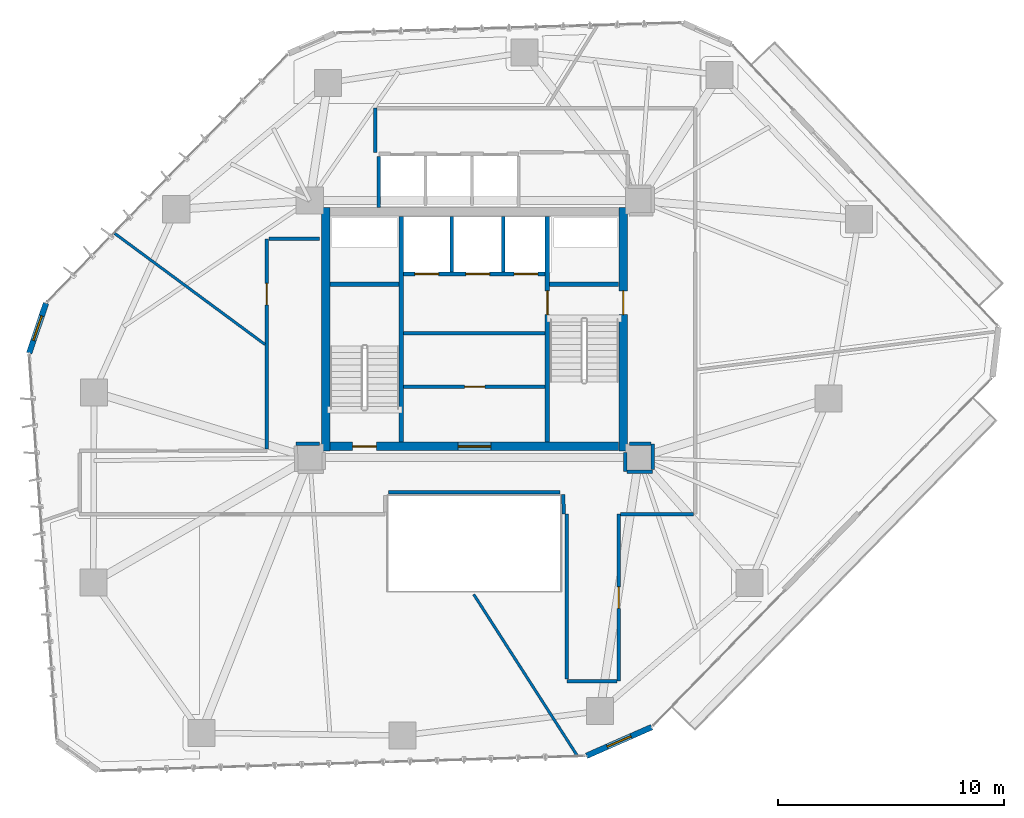
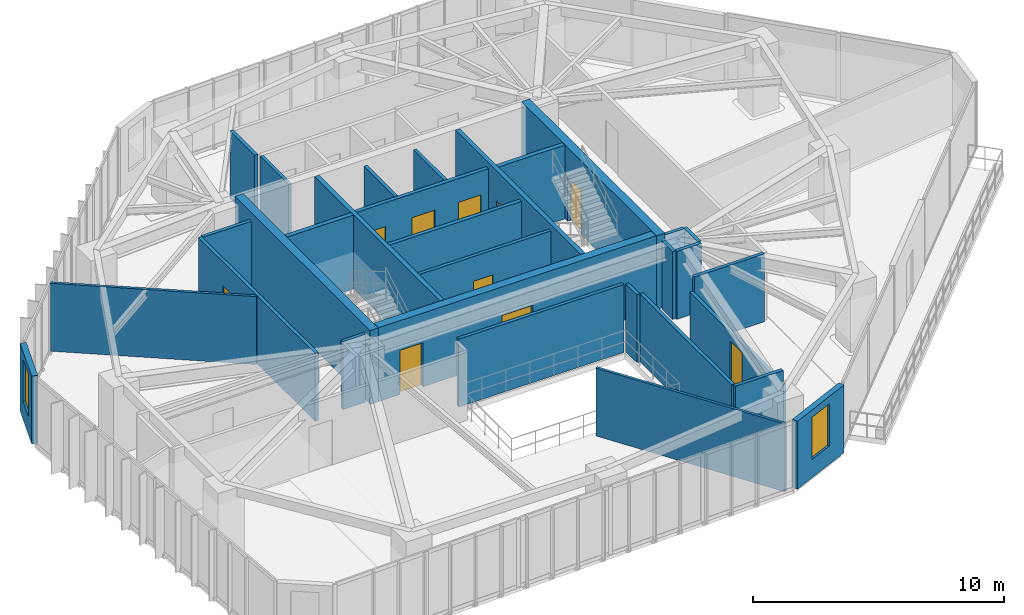
# One storey, part 18 of 23: 31 walls, 10 doors, 2 windows, 12 openings.
"""IFC4 building model written with IfcOpenShell, lengths in metres."""

import ifcopenshell
import ifcopenshell.guid

model = None  # the IFC model being written
_history = None  # IfcOwnerHistory: only IFC2X3 demands one
_inside = {}  # id of a spatial element -> (the spatial element, [elements in it])
_under = {}  # id of a project, library or spatial element -> (it, [spatial elements below it])
_declared = {}  # id of a project -> (the project, [libraries it declares])
_typed = {}  # id of a type object -> (the type object, [elements of that type])
_made_of = {}  # id of a material, layer set ... -> (it, [elements and type objects made of it])


def new_model(schema):
    """Start an empty IFC model of exactly this schema.

    Asked for "IFC4X3", IfcOpenShell would pick the latest addendum, in which some entities
    have other attributes; the version numbers below select the first issue.
    IFC2X3 requires an IfcOwnerHistory on every rooted entity: one is made here for all.
    """
    global model, _history
    if schema == "IFC4X3":
        model = ifcopenshell.file(schema_version=(4, 3, 0, 0))
    else:
        model = ifcopenshell.file(schema=schema)
    _inside.clear()
    _under.clear()
    _declared.clear()
    _typed.clear()
    _made_of.clear()
    _history = None
    if model.schema == "IFC2X3":
        org = make("IfcOrganization", Name="unknown")
        user = make(
            "IfcPersonAndOrganization",
            ThePerson=make("IfcPerson", FamilyName="unknown"),
            TheOrganization=org,
        )
        app = make(
            "IfcApplication",
            ApplicationDeveloper=org,
            Version="unknown",
            ApplicationFullName="unknown",
            ApplicationIdentifier="unknown",
        )
        _history = make(
            "IfcOwnerHistory",
            OwningUser=user,
            OwningApplication=app,
            ChangeAction="ADDED",
            CreationDate=0,
        )
    return model


def make(cls, **values):
    """One entity of the class cls with the attributes given. An attribute that is None is left unset."""
    return model.create_entity(
        cls, **{name: value for name, value in values.items() if value is not None}
    )


def rooted(cls, **values):
    """An entity with a GlobalId (a new one), such as an element, a storey or a relation."""
    return make(cls, GlobalId=ifcopenshell.guid.new(), OwnerHistory=_history, **values)


def si_unit(unit_type, name, prefix=None):
    """IfcSIUnit, for example si_unit("LENGTHUNIT", "METRE", prefix="MILLI")."""
    return make("IfcSIUnit", UnitType=unit_type, Prefix=prefix, Name=name)


def assignment(units):
    """IfcUnitAssignment: the units of a project."""
    return None if units is None else make("IfcUnitAssignment", Units=units)


def point(xyz):
    """IfcCartesianPoint."""
    return None if xyz is None else make("IfcCartesianPoint", Coordinates=xyz)


def direction(xyz):
    """IfcDirection."""
    return None if xyz is None else make("IfcDirection", DirectionRatios=xyz)


def frame(location, z_axis=None, x_axis=None):
    """IfcAxis2Placement3D, a coordinate frame: its origin and axes. An axis left out is left unset."""
    return make(
        "IfcAxis2Placement3D",
        Location=point(location),
        Axis=direction(z_axis),
        RefDirection=direction(x_axis),
    )


def frame_2d(location, x_axis=None):
    """IfcAxis2Placement2D, a coordinate frame in the plane: its origin and x axis."""
    return make(
        "IfcAxis2Placement2D", Location=point(location), RefDirection=direction(x_axis)
    )


def origin():
    """The frame at (0, 0, 0) with its axes left unset."""
    return frame((0.0, 0.0, 0.0))


def place(relative_to, where):
    """IfcLocalPlacement: puts the frame where relative to a parent placement (None: the world)."""
    return make(
        "IfcLocalPlacement", PlacementRelTo=relative_to, RelativePlacement=where
    )


def context(
    kind, dimensions, precision=None, world=None, true_north=None, identifier=None
):
    """IfcGeometricRepresentationContext, for example the 3D "Model" context."""
    return make(
        "IfcGeometricRepresentationContext",
        ContextIdentifier=identifier,
        ContextType=kind,
        CoordinateSpaceDimension=dimensions,
        Precision=precision,
        WorldCoordinateSystem=world,
        TrueNorth=true_north,
    )


def subcontext(parent, identifier, kind, view, scale=None):
    """IfcGeometricRepresentationSubContext, for example "Body" below "Model"."""
    return make(
        "IfcGeometricRepresentationSubContext",
        ContextIdentifier=identifier,
        ContextType=kind,
        ParentContext=parent,
        TargetScale=scale,
        TargetView=view,
    )


def project(units=None, contexts=None):
    """IfcProject with its units and contexts."""
    return rooted(
        "IfcProject",
        Name="project",
        RepresentationContexts=contexts,
        UnitsInContext=assignment(units),
    )


def spatial(cls, under=None, at=None, **own):
    """A site, building, storey or space (cls), placed at a placement, below another one or the project."""
    s = rooted(cls, ObjectPlacement=at, **own)
    if under is not None:
        _under.setdefault(under.id(), (under, []))[1].append(s)
    return s


def profile(cls, at=None, kind="AREA", **sizes):
    """A parametric profile (cls). Its sizes go by their IFC names, for example OverallWidth=200.0."""
    return make(cls, ProfileType=kind, Position=at, **sizes)


def rectangle(**sizes):
    """IfcRectangleProfileDef."""
    return profile("IfcRectangleProfileDef", **sizes)


def extrude(swept, where, along, depth):
    """IfcExtrudedAreaSolid: the profile swept, set in the frame where, extruded along a direction by depth."""
    return make(
        "IfcExtrudedAreaSolid",
        SweptArea=swept,
        Position=where,
        ExtrudedDirection=direction(along),
        Depth=depth,
    )


def shape(context_of_items, identifier, shape_type, items):
    """IfcShapeRepresentation: the items that make up one representation, for example the "Body"."""
    return make(
        "IfcShapeRepresentation",
        ContextOfItems=context_of_items,
        RepresentationIdentifier=identifier,
        RepresentationType=shape_type,
        Items=items,
    )


def source(mapping_origin, context_of_items, identifier, shape_type, items):
    """IfcRepresentationMap: a shape defined once, which mapped items show again and again."""
    return make(
        "IfcRepresentationMap",
        MappingOrigin=mapping_origin,
        MappedRepresentation=shape(context_of_items, identifier, shape_type, items),
    )


def transform(
    local_origin,
    x_axis=None,
    y_axis=None,
    z_axis=None,
    scale=None,
    scale2=None,
    scale3=None,
    uniform=True,
):
    """IfcCartesianTransformationOperator3D, or its non-uniform kind. x_axis, y_axis, z_axis: its Axis1, 2, 3."""
    if uniform:
        return make(
            "IfcCartesianTransformationOperator3D",
            Axis1=direction(x_axis),
            Axis2=direction(y_axis),
            LocalOrigin=point(local_origin),
            Scale=scale,
            Axis3=direction(z_axis),
        )
    return make(
        "IfcCartesianTransformationOperator3DnonUniform",
        Axis1=direction(x_axis),
        Axis2=direction(y_axis),
        LocalOrigin=point(local_origin),
        Scale=scale,
        Axis3=direction(z_axis),
        Scale2=scale2,
        Scale3=scale3,
    )


def mapped(mapping_source, mapping_target):
    """IfcMappedItem: shows the shape of a source again, moved by a transform."""
    return make(
        "IfcMappedItem", MappingSource=mapping_source, MappingTarget=mapping_target
    )


def material(Name=None, Category=None):
    """IfcMaterial."""
    return make("IfcMaterial", Name=Name, Category=Category)


def layer(
    of_material, thickness, ventilated=None, Name=None, Category=None, Priority=None
):
    """IfcMaterialLayer: one layer of a wall or slab, of a material (None: an air gap)."""
    return make(
        "IfcMaterialLayer",
        Material=of_material,
        LayerThickness=thickness,
        IsVentilated=ventilated,
        Name=Name,
        Category=Category,
        Priority=Priority,
    )


def layer_set(layers, Name=None):
    """IfcMaterialLayerSet."""
    return make("IfcMaterialLayerSet", MaterialLayers=layers, LayerSetName=Name)


def made_of(thing, what):
    """Note that an element or type object is made of a material, layer set ...; save() writes the relation."""
    if what is not None:
        _made_of.setdefault(what.id(), (what, []))[1].append(thing)
    return thing


def type_object(cls, material=None, **own):
    """A type object (cls), such as IfcWallType, which elements share."""
    return made_of(rooted(cls, **own), material)


def type_shapes(of_type, sources):
    """Give a type object the sources (RepresentationMaps) that its elements show as mapped items."""
    of_type.RepresentationMaps = sources


def element(
    cls,
    number,
    at=None,
    inside=None,
    cuts=None,
    type_object=None,
    material=None,
    context=None,
    identifier="Body",
    shape_type=None,
    held_by="IfcProductDefinitionShape",
    body=None,
    shapes=None,
    **own,
):
    """One element of the class cls, such as IfcWall. Its Tag is "e" and its number.

    at: its placement. inside: the storey or other place that contains it. cuts: it is an
    opening in that element (IfcRelVoidsElement). A single representation is given by context,
    identifier, shape_type and body (its items); several are given by shapes. held_by: the class
    of the entity that holds the representations. save() writes the other relations.
    """
    e = rooted(cls, Tag="e%d" % number, ObjectPlacement=at, **own)
    if body is not None:
        shapes = [shape(context, identifier, shape_type, body)]
    if shapes is not None:
        e.Representation = make(held_by, Representations=shapes)
    if inside is not None:
        _inside.setdefault(inside.id(), (inside, []))[1].append(e)
    if cuts is not None:
        rooted(
            "IfcRelVoidsElement", RelatingBuildingElement=cuts, RelatedOpeningElement=e
        )
    if type_object is not None:
        _typed.setdefault(type_object.id(), (type_object, []))[1].append(e)
    return made_of(e, material)


def fill(opening, filler):
    """IfcRelFillsElement: the door or window that sits in an opening."""
    return rooted(
        "IfcRelFillsElement",
        RelatingOpeningElement=opening,
        RelatedBuildingElement=filler,
    )


def aggregate(whole, parts):
    """IfcRelAggregates: a whole, such as a stair, and the parts it consists of."""
    return rooted("IfcRelAggregates", RelatingObject=whole, RelatedObjects=parts)


def save(model, path):
    """Write the relations noted so far, then the file.

    IfcRelAggregates (storeys below a building ...), IfcRelContainedInSpatialStructure (elements
    in a storey), IfcRelDefinesByType, IfcRelAssociatesMaterial and IfcRelDeclares: one each for
    every whole, place, type object, material and project.
    """
    for whole, parts in _under.values():
        aggregate(whole, parts)
    for where, things in _inside.values():
        rooted(
            "IfcRelContainedInSpatialStructure",
            RelatedElements=things,
            RelatingStructure=where,
        )
    for kind, things in _typed.values():
        rooted("IfcRelDefinesByType", RelatedObjects=things, RelatingType=kind)
    for what, things in _made_of.values():
        rooted("IfcRelAssociatesMaterial", RelatedObjects=things, RelatingMaterial=what)
    for by, libraries in _declared.values():
        rooted("IfcRelDeclares", RelatingContext=by, RelatedDefinitions=libraries)
    model.write(path)


model = new_model("IFC4")

# Units and contexts
model_context = context("Model", 3, precision=1e-05, world=origin(), true_north=direction((0.0, 1.0)))
body_context = subcontext(model_context, "Body", "Model", "MODEL_VIEW")
ifc_project = project(units=[si_unit("LENGTHUNIT", "METRE"), si_unit("AREAUNIT", "SQUARE_METRE"), si_unit("VOLUMEUNIT", "CUBIC_METRE"), si_unit("PLANEANGLEUNIT", "RADIAN"), si_unit("MASSUNIT", "GRAM", prefix="KILO")], contexts=[model_context])

# Site, building, storey
site_placement = place(None, origin())
site = spatial("IfcSite", under=ifc_project, at=site_placement, CompositionType="ELEMENT")
building_placement = place(site_placement, origin())
building = spatial("IfcBuilding", under=site, at=building_placement, Name="Talar Marvaseh", CompositionType="ELEMENT")
storey_placement = place(building_placement, frame((0.0, 0.0, 96.60009765625)))
storey = spatial("IfcBuildingStorey", under=building, at=storey_placement, Name="L24", CompositionType="ELEMENT", Elevation=96.60009765625)

# Wall, opening, window
ifc_material_1 = material(Name="Precast concrete C45/55", Category="concrete")
ifc_layer_1 = layer(ifc_material_1, 0.2548828125)
ifc_layer_set_1 = layer_set([ifc_layer_1], Name="Precast concrete C45/55")
wall_type_1 = type_object("IfcWallType", Name="Chamfered Hexagonal Corner Pier Wall Z2 255", PredefinedType="SOLIDWALL", material=ifc_layer_set_1)
wall_1_placement = place(storey_placement, frame((6.25830078125, 30.138916015625, 0.0), z_axis=(0.0, 0.0, 1.0), x_axis=(0.319292826972, 0.947656103576, 0.0)))
wall_1 = element("IfcWall", 1, at=wall_1_placement, inside=storey, type_object=wall_type_1, Name="L24 Chamfered Corner Limestone Pier 2", PredefinedType="SOLIDWALL", context=body_context, shape_type="SweptSolid", body=[
    extrude(rectangle(XDim=2.340576171875, YDim=0.2548828125, at=frame_2d((1.17041015625, 0.0))), origin(), (0.0, 0.0, 1.0), 3.309814453125),
])
opening_1_placement = place(wall_1_placement, frame((0.594970703125, 0.0, 0.89990234375)))
opening_1 = element("IfcOpeningElement", 2, at=opening_1_placement, cuts=wall_1, Name="Opening WN-CHM11", PredefinedType="OPENING", context=body_context, shape_type="SweptSolid", body=[
    extrude(rectangle(XDim=1.14990234375, YDim=2.050048828125, at=frame_2d((0.574951171875, 1.02490234375))), frame((0.0, 0.137451171875, 0.0), z_axis=(0.0, -1.0, 0.0), x_axis=(1.0, 0.0, 0.0)), (0.0, 0.0, 1.0), 0.27490234375),
])
ifc_material_2 = material(Name="Laminated Low-E Solar Glass", Category="glass")
window_type = type_object("IfcWindowType", Name="Zone 2 Chamfered Corner Slot Window 1150x2050", PartitioningType="SINGLE_PANEL", PredefinedType="WINDOW", material=ifc_material_2)
shared_shape_1 = source(origin(), body_context, "Body", "SweptSolid", [
    extrude(rectangle(XDim=1.14990234375, YDim=2.050048828125, at=frame_2d((0.574951171875, 1.02490234375))), frame((0.0, 0.030029296875, 0.0), z_axis=(0.0, -1.0, 0.0), x_axis=(1.0, 0.0, 0.0)), (0.0, 0.0, 1.0), 0.06005859375),
])
type_shapes(window_type, [shared_shape_1])
window_1_placement = place(opening_1_placement, origin())
window_1 = element("IfcWindow", 3, at=window_1_placement, inside=storey, type_object=window_type, Name="L24 Chamfered Corner Slot Window", OverallHeight=2.050048828125, OverallWidth=1.14990234375, PartitioningType="SINGLE_PANEL", PredefinedType="WINDOW", context=body_context, shape_type="MappedRepresentation", body=[
    mapped(shared_shape_1, transform((0.0, 0.0, 0.0), x_axis=(1.0, 0.0, 0.0), y_axis=(0.0, 1.0, 0.0), z_axis=(0.0, 0.0, 1.0), scale=1.0)),
])
fill(opening_1, window_1)

wall_2_placement = place(storey_placement, frame((33.860107421875, 13.553955078125, 0.0), z_axis=(0.0, 0.0, 1.0), x_axis=(-0.915320736763, -0.402725649607, 0.0)))
wall_2 = element("IfcWall", 4, at=wall_2_placement, inside=storey, type_object=wall_type_1, Name="L24 Chamfered Corner Limestone Pier 6", PredefinedType="SOLIDWALL", context=body_context, shape_type="SweptSolid", body=[
    extrude(rectangle(XDim=3.1552734375, YDim=0.2548828125, at=frame_2d((1.57763671875, 0.0))), origin(), (0.0, 0.0, 1.0), 3.309814453125),
])
opening_2_placement = place(wall_2_placement, frame((1.0029296875, 0.0, 0.89990234375)))
opening_2 = element("IfcOpeningElement", 5, at=opening_2_placement, cuts=wall_2, Name="Opening WN-CHM11", PredefinedType="OPENING", context=body_context, shape_type="SweptSolid", body=[
    extrude(rectangle(XDim=1.14990234375, YDim=2.050048828125, at=frame_2d((0.574951171875, 1.02490234375))), frame((0.0, 0.137451171875, 0.0), z_axis=(0.0, -1.0, 0.0), x_axis=(1.0, 0.0, 0.0)), (0.0, 0.0, 1.0), 0.27490234375),
])
window_2_placement = place(opening_2_placement, origin())
window_2 = element("IfcWindow", 6, at=window_2_placement, inside=storey, type_object=window_type, Name="L24 Chamfered Corner Slot Window", OverallHeight=2.050048828125, OverallWidth=1.14990234375, PartitioningType="SINGLE_PANEL", PredefinedType="WINDOW", context=body_context, shape_type="MappedRepresentation", body=[
    mapped(shared_shape_1, transform((0.0, 0.0, 0.0), x_axis=(1.0, 0.0, 0.0), y_axis=(0.0, 1.0, 0.0), z_axis=(0.0, 0.0, 1.0), scale=1.0)),
])
fill(opening_2, window_2)

# Wall, opening, door
ifc_material_3 = material(Name="Gypsum Board Partition Assembly")
ifc_layer_2 = layer(ifc_material_3, 0.155029296875)
ifc_layer_set_2 = layer_set([ifc_layer_2], Name="Gypsum Board Partition Assembly")
wall_type_2 = type_object("IfcWallType", Name="Corridor Fire-Rated Acoustic Partition 155", PredefinedType="PARTITIONING", material=ifc_layer_set_2)
wall_3_placement = place(storey_placement, frame((22.865966796875, 28.639892578125, 0.0), z_axis=(0.0, 0.0, 1.0), x_axis=(1.0, 0.0, 0.0)))
wall_3 = element("IfcWall", 7, at=wall_3_placement, inside=storey, type_object=wall_type_2, Name="L24 Core BOH Partition", PredefinedType="PARTITIONING", context=body_context, shape_type="SweptSolid", body=[
    extrude(rectangle(XDim=6.26806640625, YDim=0.155029296875, at=frame_2d((3.134033203125, 0.0))), origin(), (0.0, 0.0, 1.0), 3.309814453125),
])
opening_3_placement = place(wall_3_placement, frame((2.699951171875, 0.0, 0.0)))
opening_3 = element("IfcOpeningElement", 8, at=opening_3_placement, cuts=wall_3, Name="Opening DR-BOH090", PredefinedType="OPENING", context=body_context, shape_type="SweptSolid", body=[
    extrude(rectangle(XDim=0.89990234375, YDim=2.10009765625, at=frame_2d((0.449951171875, 1.050048828125))), frame((0.0, 0.08740234375, 0.0), z_axis=(0.0, -1.0, 0.0), x_axis=(1.0, 0.0, 0.0)), (0.0, 0.0, 1.0), 0.175048828125),
])
ifc_material_4 = material(Name="Fire-Rated Steel Door Leaf", Category="steel")
door_type_1 = type_object("IfcDoorType", Name="Core Back-of-House Service Door 900x2100", OperationType="NOTDEFINED", PredefinedType="DOOR", material=ifc_material_4)
shared_shape_2 = source(origin(), body_context, "Body", "SweptSolid", [
    extrude(rectangle(XDim=0.89990234375, YDim=2.10009765625, at=frame_2d((0.449951171875, 1.050048828125))), frame((0.0, 0.02490234375, 0.0), z_axis=(0.0, -1.0, 0.0), x_axis=(1.0, 0.0, 0.0)), (0.0, 0.0, 1.0), 0.050048828125),
])
type_shapes(door_type_1, [shared_shape_2])
door_1_placement = place(opening_3_placement, origin())
door_1 = element("IfcDoor", 9, at=door_1_placement, inside=storey, type_object=door_type_1, Name="L24 Store Core Central Archive Door", OperationType="SINGLE_SWING_LEFT", OverallHeight=2.10009765625, OverallWidth=0.89990234375, PredefinedType="DOOR", context=body_context, shape_type="MappedRepresentation", body=[
    mapped(shared_shape_2, transform((0.0, 0.0, 0.0), x_axis=(1.0, 0.0, 0.0), y_axis=(0.0, 1.0, 0.0), z_axis=(0.0, 0.0, 1.0), scale=1.0)),
])
fill(opening_3, door_1)

wall_4_placement = place(storey_placement, frame((16.800048828125, 25.883544921875, 0.0), z_axis=(0.0, 0.0, 1.0), x_axis=(0.0, 1.0, 0.0)))
wall_4 = element("IfcWall", 10, at=wall_4_placement, inside=storey, type_object=wall_type_2, Name="L24 Interior Partition Wall", PredefinedType="PARTITIONING", context=body_context, shape_type="SweptSolid", body=[
    extrude(rectangle(XDim=9.31640625, YDim=0.155029296875, at=frame_2d((4.658203125, 0.0))), origin(), (0.0, 0.0, 1.0), 3.309814453125),
])
opening_4_placement = place(wall_4_placement, frame((6.39990234375, 0.0, 0.0)))
opening_4 = element("IfcOpeningElement", 11, at=opening_4_placement, cuts=wall_4, Name="Opening DR-WC095", PredefinedType="OPENING", context=body_context, shape_type="SweptSolid", body=[
    extrude(rectangle(XDim=0.949951171875, YDim=2.14990234375, at=frame_2d((0.47509765625, 1.074951171875))), frame((0.0, 0.08740234375, 0.0), z_axis=(0.0, -1.0, 0.0), x_axis=(1.0, 0.0, 0.0)), (0.0, 0.0, 1.0), 0.175048828125),
])
ifc_material_5 = material(Name="Acoustic Engineered Oak Timber", Category="wood")
door_type_2 = type_object("IfcDoorType", Name="Washroom and Service Room Door 950x2150", OperationType="NOTDEFINED", PredefinedType="DOOR", material=ifc_material_5)
shared_shape_3 = source(origin(), body_context, "Body", "SweptSolid", [
    extrude(rectangle(XDim=0.949951171875, YDim=2.14990234375, at=frame_2d((0.47509765625, 1.074951171875))), frame((0.0, 0.02490234375, 0.0), z_axis=(0.0, -1.0, 0.0), x_axis=(1.0, 0.0, 0.0)), (0.0, 0.0, 1.0), 0.050048828125),
])
type_shapes(door_type_2, [shared_shape_3])
door_2_placement = place(opening_4_placement, origin())
door_2 = element("IfcDoor", 12, at=door_2_placement, inside=storey, type_object=door_type_2, Name="L24 Scholars' Servery Pantry Door", OperationType="SINGLE_SWING_LEFT", OverallHeight=2.14990234375, OverallWidth=0.949951171875, PredefinedType="DOOR", context=body_context, shape_type="MappedRepresentation", body=[
    mapped(shared_shape_3, transform((0.0, 0.0, 0.0), x_axis=(1.0, 0.0, 0.0), y_axis=(0.0, 1.0, 0.0), z_axis=(0.0, 0.0, 1.0), scale=1.0)),
])
fill(opening_4, door_2)

wall_5_placement = place(storey_placement, frame((32.39990234375, 23.0, 0.0), z_axis=(0.0, 0.0, 1.0), x_axis=(0.0, -1.0, 0.0)))
wall_5 = element("IfcWall", 13, at=wall_5_placement, inside=storey, type_object=wall_type_2, Name="L24 Interior Partition Wall", PredefinedType="PARTITIONING", context=body_context, shape_type="SweptSolid", body=[
    extrude(rectangle(XDim=7.39990234375, YDim=0.155029296875, at=frame_2d((3.699951171875, 0.0))), origin(), (0.0, 0.0, 1.0), 2.58984375),
])
opening_5_placement = place(wall_5_placement, frame((3.22509765625, 0.0, 0.0)))
opening_5 = element("IfcOpeningElement", 14, at=opening_5_placement, cuts=wall_5, Name="Opening DR-WC095", PredefinedType="OPENING", context=body_context, shape_type="SweptSolid", body=[
    extrude(rectangle(XDim=0.949951171875, YDim=2.14990234375, at=frame_2d((0.47509765625, 1.074951171875))), frame((0.0, 0.08740234375, 0.0), z_axis=(0.0, -1.0, 0.0), x_axis=(1.0, 0.0, 0.0)), (0.0, 0.0, 1.0), 0.175048828125),
])
door_3_placement = place(opening_5_placement, origin())
door_3 = element("IfcDoor", 15, at=door_3_placement, inside=storey, type_object=door_type_2, Name="L24 Hospitality Tea Pantry Door", OperationType="SINGLE_SWING_RIGHT", OverallHeight=2.14990234375, OverallWidth=0.949951171875, PredefinedType="DOOR", context=body_context, shape_type="MappedRepresentation", body=[
    mapped(shared_shape_3, transform((0.0, 0.0, 0.0), x_axis=(1.0, 0.0, 0.0), y_axis=(0.0, 1.0, 0.0), z_axis=(0.0, 0.0, 1.0), scale=1.0)),
])
fill(opening_5, door_3)

# Walls
wall_6_placement = place(storey_placement, frame((29.800048828125, 23.9599609375, 0.0), z_axis=(0.0, 0.0, 1.0), x_axis=(-0.999999995375, -9.617234e-05, 0.0)))
element("IfcWall", 16, at=wall_6_placement, inside=storey, type_object=wall_type_2, Name="L24 Interior Partition Wall", PredefinedType="PARTITIONING", context=body_context, shape_type="SweptSolid", body=[
    extrude(rectangle(XDim=7.61572265625, YDim=0.155029296875, at=frame_2d((3.807861328125, 0.0))), origin(), (0.0, 0.0, 1.0), 3.309814453125),
])
wall_7_placement = place(storey_placement, frame((16.883544921875, 35.199951171875, 0.0), z_axis=(0.0, 0.0, 1.0), x_axis=(1.0, 0.0, 0.0)))
element("IfcWall", 17, at=wall_7_placement, inside=storey, type_object=wall_type_2, Name="L24 Interior Partition Wall", PredefinedType="PARTITIONING", context=body_context, shape_type="SweptSolid", body=[
    extrude(rectangle(XDim=2.246337890625, YDim=0.155029296875, at=frame_2d((1.123046875, 0.0))), origin(), (0.0, 0.0, 1.0), 3.309814453125),
])
wall_8_placement = place(storey_placement, frame((19.1298828125, 26.114990234375, 0.0), z_axis=(0.0, 0.0, 1.0), x_axis=(-0.999986702653, -0.005156987215, 0.0)))
element("IfcWall", 18, at=wall_8_placement, inside=storey, type_object=wall_type_2, Name="L24 Interior Partition Wall", PredefinedType="PARTITIONING", context=body_context, shape_type="SweptSolid", body=[
    extrude(rectangle(XDim=1.04150390625, YDim=0.155029296875, at=frame_2d((0.520751953125, 0.0))), origin(), (0.0, 0.0, 1.0), 3.309814453125),
])
wall_9_placement = place(storey_placement, frame((32.68505859375, 25.72998046875, 0.0), z_axis=(0.0, 0.0, 1.0), x_axis=(0.006382231486, -0.999979633353, 0.0)))
element("IfcWall", 19, at=wall_9_placement, inside=storey, type_object=wall_type_2, Name="L24 Interior Partition Wall", PredefinedType="PARTITIONING", context=body_context, shape_type="SweptSolid", body=[
    extrude(rectangle(XDim=0.841552734375, YDim=0.155029296875, at=frame_2d((0.4208984375, 0.0))), origin(), (0.0, 0.0, 1.0), 3.309814453125),
])
wall_10_placement = place(storey_placement, frame((32.77392578125, 24.88818359375, 0.0), z_axis=(0.0, 0.0, 1.0), x_axis=(0.999999164303, -0.001292823742, 0.0)))
element("IfcWall", 20, at=wall_10_placement, inside=storey, type_object=wall_type_2, Name="L24 Interior Partition Wall", PredefinedType="PARTITIONING", context=body_context, shape_type="SweptSolid", body=[
    extrude(rectangle(XDim=1.133056640625, YDim=0.155029296875, at=frame_2d((0.56640625, 0.0))), origin(), (0.0, 0.0, 1.0), 3.309814453125),
])
wall_11_placement = place(storey_placement, frame((33.907470703125, 24.97021484375, 0.0), z_axis=(0.0, 0.0, 1.0), x_axis=(0.003642572792, 0.99999336581, 0.0)))
element("IfcWall", 21, at=wall_11_placement, inside=storey, type_object=wall_type_2, Name="L24 Interior Partition Wall", PredefinedType="PARTITIONING", context=body_context, shape_type="SweptSolid", body=[
    extrude(rectangle(XDim=1.139404296875, YDim=0.155029296875, at=frame_2d((0.56982421875, 0.0))), origin(), (0.0, 0.0, 1.0), 3.309814453125),
])
wall_12_placement = place(storey_placement, frame((33.828125, 26.110107421875, 0.0), z_axis=(0.0, 0.0, 1.0), x_axis=(-0.999987011364, 0.005096773758, 0.0)))
element("IfcWall", 22, at=wall_12_placement, inside=storey, type_object=wall_type_2, Name="L24 Interior Partition Wall", PredefinedType="PARTITIONING", context=body_context, shape_type="SweptSolid", body=[
    extrude(rectangle(XDim=0.9580078125, YDim=0.155029296875, at=frame_2d((0.47900390625, 0.0))), origin(), (0.0, 0.0, 1.0), 3.309814453125),
])
wall_13_placement = place(storey_placement, frame((21.60009765625, 39.0400390625, 0.0), z_axis=(0.0, 0.0, 1.0), x_axis=(0.0, 1.0, 0.0)))
element("IfcWall", 23, at=wall_13_placement, inside=storey, type_object=wall_type_2, Name="L24 Interior Partition Wall", PredefinedType="PARTITIONING", context=body_context, shape_type="SweptSolid", body=[
    extrude(rectangle(XDim=1.9599609375, YDim=0.155029296875, at=frame_2d((0.97998046875, 0.0))), origin(), (0.0, 0.0, 1.0), 3.309814453125),
])
wall_14_placement = place(storey_placement, frame((35.716552734375, 23.0, 0.0), z_axis=(0.0, 0.0, 1.0), x_axis=(-1.0, 0.0, 0.0)))
element("IfcWall", 24, at=wall_14_placement, inside=storey, type_object=wall_type_2, Name="L24 Interior Partition Wall", PredefinedType="PARTITIONING", context=body_context, shape_type="SweptSolid", body=[
    extrude(rectangle(XDim=3.233154296875, YDim=0.155029296875, at=frame_2d((1.61669921875, 0.0))), origin(), (0.0, 0.0, 1.0), 3.309814453125),
])
wall_15_placement = place(storey_placement, frame((32.31640625, 15.60009765625, 0.0), z_axis=(0.0, 0.0, 1.0), x_axis=(-1.0, 0.0, 0.0)))
element("IfcWall", 25, at=wall_15_placement, inside=storey, type_object=wall_type_2, Name="L24 Interior Partition Wall", PredefinedType="PARTITIONING", context=body_context, shape_type="SweptSolid", body=[
    extrude(rectangle(XDim=2.21630859375, YDim=0.155029296875, at=frame_2d((1.108154296875, 0.0))), origin(), (0.0, 0.0, 1.0), 3.309814453125),
])
wall_16_placement = place(storey_placement, frame((30.10009765625, 15.68359375, 0.0), z_axis=(0.0, 0.0, 1.0), x_axis=(0.0, 1.0, 0.0)))
element("IfcWall", 26, at=wall_16_placement, inside=storey, type_object=wall_type_2, Name="L24 Interior Partition Wall", PredefinedType="PARTITIONING", context=body_context, shape_type="SweptSolid", body=[
    extrude(rectangle(XDim=7.31640625, YDim=0.155029296875, at=frame_2d((3.658203125, 0.0))), origin(), (0.0, 0.0, 1.0), 3.309814453125),
])
wall_17_placement = place(storey_placement, frame((29.9599609375, 23.0, 0.0), z_axis=(0.0, 0.0, 1.0), x_axis=(-0.021467444279, 0.999769547864, 0.0)))
element("IfcWall", 27, at=wall_17_placement, inside=storey, type_object=wall_type_2, Name="L24 Interior Partition Wall", PredefinedType="PARTITIONING", context=body_context, shape_type="SweptSolid", body=[
    extrude(rectangle(XDim=0.875732421875, YDim=0.155029296875, at=frame_2d((0.43798828125, 0.0))), origin(), (0.0, 0.0, 1.0), 3.309814453125),
])
ifc_layer_3 = layer(ifc_material_3, 0.1201171875)
ifc_layer_set_3 = layer_set([ifc_layer_3], Name="Gypsum Board Partition Assembly")
wall_type_3 = type_object("IfcWallType", Name="Demountable Studio Room Partition 120", PredefinedType="PARTITIONING", material=ifc_layer_set_3)
wall_18_placement = place(storey_placement, frame((25.969970703125, 19.43994140625, 0.0), z_axis=(0.0, 0.0, 1.0), x_axis=(0.540144753719, -0.841572127051, 0.0)))
element("IfcWall", 28, at=wall_18_placement, inside=storey, type_object=wall_type_3, Name="L24 Interior Partition Wall", PredefinedType="PARTITIONING", context=body_context, shape_type="SweptSolid", body=[
    extrude(rectangle(XDim=8.498779296875, YDim=0.1201171875, at=frame_2d((4.24951171875, 0.0))), origin(), (0.0, 0.0, 1.0), 3.309814453125),
])
wall_19_placement = place(storey_placement, frame((16.716552734375, 30.521484375, 0.0), z_axis=(0.0, 0.0, 1.0), x_axis=(-0.804341780084, 0.594166896428, 0.0)))
element("IfcWall", 29, at=wall_19_placement, inside=storey, type_object=wall_type_3, Name="L24 Interior Partition Wall", PredefinedType="PARTITIONING", context=body_context, shape_type="SweptSolid", body=[
    extrude(rectangle(XDim=8.299560546875, YDim=0.1201171875, at=frame_2d((4.14990234375, 0.0))), origin(), (0.0, 0.0, 1.0), 3.309814453125),
])
ifc_layer_4 = layer(ifc_material_1, 0.14501953125)
ifc_layer_set_4 = layer_set([ifc_layer_4], Name="Precast concrete C45/55")
wall_type_4 = type_object("IfcWallType", Name="Fire-Rated Lift Divider Wall 145", PredefinedType="SOLIDWALL", material=ifc_layer_set_4)
for number, where, z_axis, x_axis, name in (
    (30, (25.0, 33.743408203125, 0.0), (0.0, 0.0, 1.0), (0.0, 1.0, 0.0), "L24 FFL-1/FFL-2 Divider"),
    (31, (27.280029296875, 33.743408203125, 0.0), (0.0, 0.0, 1.0), (0.0, 1.0, 0.0), "L24 FFL-2/SVL-1 Divider"),
):
    element("IfcWall", number, at=place(storey_placement, frame(where, z_axis=z_axis, x_axis=x_axis)), inside=storey, type_object=wall_type_4, Name=name, PredefinedType="SOLIDWALL", context=body_context, shape_type="SweptSolid", body=[
        extrude(rectangle(XDim=2.45654296875, YDim=0.14501953125, at=frame_2d((1.228271484375, 0.0))), origin(), (0.0, 0.0, 1.0), 3.309814453125),
    ])
wall_20_placement = place(storey_placement, frame((21.760009765625, 36.60009765625, 0.0), z_axis=(0.0, 0.0, 1.0), x_axis=(0.0, 1.0, 0.0)))
element("IfcWall", 32, at=wall_20_placement, inside=storey, type_object=wall_type_4, Name="L24 Low-Rise Bank West Wall", PredefinedType="SOLIDWALL", context=body_context, shape_type="SweptSolid", body=[
    extrude(rectangle(XDim=2.266357421875, YDim=0.14501953125, at=frame_2d((1.13330078125, 0.0))), origin(), (0.0, 0.0, 1.0), 3.309814453125),
])

# Wall, openings, doors
ifc_layer_5 = layer(ifc_material_1, 0.175048828125)
ifc_layer_set_5 = layer_set([ifc_layer_5], Name="Precast concrete C45/55")
wall_type_5 = type_object("IfcWallType", Name="Fire-Rated Lift Hoistway Enclosure Wall 175", PredefinedType="SOLIDWALL", material=ifc_layer_set_5)
wall_21_placement = place(storey_placement, frame((22.860107421875, 33.64990234375, 0.0), z_axis=(0.0, 0.0, 1.0), x_axis=(1.0, 0.0, 0.0)))
wall_21 = element("IfcWall", 33, at=wall_21_placement, inside=storey, type_object=wall_type_5, Name="L24 Firefighting and Service Lift Front Wall", PredefinedType="SOLIDWALL", context=body_context, shape_type="SweptSolid", body=[
    extrude(rectangle(XDim=6.27978515625, YDim=0.175048828125, at=frame_2d((3.139892578125, 0.0))), origin(), (0.0, 0.0, 1.0), 3.309814453125),
])
opening_6_placement = place(wall_21_placement, frame((0.5, 0.0, 0.0)))
opening_6 = element("IfcOpeningElement", 34, at=opening_6_placement, cuts=wall_21, Name="Opening LD-FF1", PredefinedType="OPENING", context=body_context, shape_type="SweptSolid", body=[
    extrude(rectangle(XDim=1.050048828125, YDim=2.14990234375, at=frame_2d((0.52490234375, 1.074951171875))), frame((0.0, 0.09765625, 0.0), z_axis=(0.0, -1.0, 0.0), x_axis=(1.0, 0.0, 0.0)), (0.0, 0.0, 1.0), 0.195068359375),
])
opening_7_placement = place(wall_21_placement, frame((2.760009765625, 0.0, 0.0)))
opening_7 = element("IfcOpeningElement", 35, at=opening_7_placement, cuts=wall_21, Name="Opening LD-FF2", PredefinedType="OPENING", context=body_context, shape_type="SweptSolid", body=[
    extrude(rectangle(XDim=1.050048828125, YDim=2.14990234375, at=frame_2d((0.52490234375, 1.074951171875))), frame((0.0, 0.09765625, 0.0), z_axis=(0.0, -1.0, 0.0), x_axis=(1.0, 0.0, 0.0)), (0.0, 0.0, 1.0), 0.195068359375),
])
opening_8_placement = place(wall_21_placement, frame((4.89990234375, 0.0, 0.0)))
opening_8 = element("IfcOpeningElement", 36, at=opening_8_placement, cuts=wall_21, Name="Opening LD-SV1", PredefinedType="OPENING", context=body_context, shape_type="SweptSolid", body=[
    extrude(rectangle(XDim=1.050048828125, YDim=2.14990234375, at=frame_2d((0.52490234375, 1.074951171875))), frame((0.0, 0.09765625, 0.0), z_axis=(0.0, -1.0, 0.0), x_axis=(1.0, 0.0, 0.0)), (0.0, 0.0, 1.0), 0.195068359375),
])
ifc_material_6 = material(Name="Stainless Steel Grade 316", Category="steel")
door_type_3 = type_object("IfcDoorType", Name="Automatic Sliding Lift Landing Door 1050x2150", OperationType="NOTDEFINED", PredefinedType="DOOR", material=ifc_material_6)
shared_shape_4 = source(origin(), body_context, "Body", "SweptSolid", [
    extrude(rectangle(XDim=1.050048828125, YDim=2.14990234375, at=frame_2d((0.52490234375, 1.074951171875))), frame((0.0, 0.02490234375, 0.0), z_axis=(0.0, -1.0, 0.0), x_axis=(1.0, 0.0, 0.0)), (0.0, 0.0, 1.0), 0.050048828125),
])
type_shapes(door_type_3, [shared_shape_4])
door_4_placement = place(opening_6_placement, origin())
door_4 = element("IfcDoor", 37, at=door_4_placement, inside=storey, type_object=door_type_3, Name="L24 Lift FFL-1 Sliding Landing Door", OperationType="SLIDING_TO_LEFT", OverallHeight=2.14990234375, OverallWidth=1.050048828125, PredefinedType="DOOR", context=body_context, shape_type="MappedRepresentation", body=[
    mapped(shared_shape_4, transform((0.0, 0.0, 0.0), x_axis=(1.0, 0.0, 0.0), y_axis=(0.0, 1.0, 0.0), z_axis=(0.0, 0.0, 1.0), scale=1.0)),
])
fill(opening_6, door_4)
door_5_placement = place(opening_7_placement, origin())
door_5 = element("IfcDoor", 38, at=door_5_placement, inside=storey, type_object=door_type_3, Name="L24 Lift FFL-2 Sliding Landing Door", OperationType="SLIDING_TO_LEFT", OverallHeight=2.14990234375, OverallWidth=1.050048828125, PredefinedType="DOOR", context=body_context, shape_type="MappedRepresentation", body=[
    mapped(shared_shape_4, transform((0.0, 0.0, 0.0), x_axis=(1.0, 0.0, 0.0), y_axis=(0.0, 1.0, 0.0), z_axis=(0.0, 0.0, 1.0), scale=1.0)),
])
fill(opening_7, door_5)
door_6_placement = place(opening_8_placement, origin())
door_6 = element("IfcDoor", 39, at=door_6_placement, inside=storey, type_object=door_type_3, Name="L24 Lift SVL-1 Sliding Landing Door", OperationType="SLIDING_TO_LEFT", OverallHeight=2.14990234375, OverallWidth=1.050048828125, PredefinedType="DOOR", context=body_context, shape_type="MappedRepresentation", body=[
    mapped(shared_shape_4, transform((0.0, 0.0, 0.0), x_axis=(1.0, 0.0, 0.0), y_axis=(0.0, 1.0, 0.0), z_axis=(0.0, 0.0, 1.0), scale=1.0)),
])
fill(opening_8, door_6)

# Walls
wall_22_placement = place(storey_placement, frame((22.860107421875, 31.02001953125, 0.0), z_axis=(0.0, 0.0, 1.0), x_axis=(1.0, 0.0, 0.0)))
element("IfcWall", 40, at=wall_22_placement, inside=storey, type_object=wall_type_5, Name="L24 Firefighting Lobby South Smoke Wall", PredefinedType="SOLIDWALL", context=body_context, shape_type="SweptSolid", body=[
    extrude(rectangle(XDim=6.27978515625, YDim=0.175048828125, at=frame_2d((3.139892578125, 0.0))), origin(), (0.0, 0.0, 1.0), 3.309814453125),
])
ifc_material_7 = material(Name="Concrete C60/75", Category="concrete")
ifc_layer_6 = layer(ifc_material_7, 0.3798828125)
ifc_layer_set_6 = layer_set([ifc_layer_6], Name="Concrete C60/75")
wall_type_6 = type_object("IfcWallType", Name="Mid Core Reinforced Concrete Shear Wall 380", PredefinedType="SHEAR", material=ifc_layer_set_6)
wall_23_placement = place(storey_placement, frame((19.39990234375, 25.800048828125, 0.0), z_axis=(0.0, 0.0, 1.0), x_axis=(0.0, 1.0, 0.0)))
element("IfcWall", 41, at=wall_23_placement, inside=storey, type_object=wall_type_6, Name="L24 West Core Shear Wall", PredefinedType="SHEAR", context=body_context, shape_type="SweptSolid", body=[
    extrude(rectangle(XDim=10.800048828125, YDim=0.3798828125, at=frame_2d((5.39990234375, 0.0))), origin(), (0.0, 0.0, 1.0), 3.599853515625),
])

# Wall, opening, door
wall_24_placement = place(storey_placement, frame((32.60009765625, 36.60009765625, 0.0), z_axis=(0.0, 0.0, 1.0), x_axis=(0.0, -1.0, 0.0)))
wall_24 = element("IfcWall", 42, at=wall_24_placement, inside=storey, type_object=wall_type_6, Name="L24 East Core Shear Wall", PredefinedType="SHEAR", context=body_context, shape_type="SweptSolid", body=[
    extrude(rectangle(XDim=10.800048828125, YDim=0.3798828125, at=frame_2d((5.39990234375, 0.0))), origin(), (0.0, 0.0, 1.0), 3.599853515625),
])
opening_9_placement = place(wall_24_placement, frame((3.699951171875, 0.0, 0.0)))
opening_9 = element("IfcOpeningElement", 43, at=opening_9_placement, cuts=wall_24, Name="Opening DR-ST105", PredefinedType="OPENING", context=body_context, shape_type="SweptSolid", body=[
    extrude(rectangle(XDim=1.050048828125, YDim=2.14990234375, at=frame_2d((0.52490234375, 1.074951171875))), frame((0.0, 0.199951171875, 0.0), z_axis=(0.0, -1.0, 0.0), x_axis=(1.0, 0.0, 0.0)), (0.0, 0.0, 1.0), 0.39990234375),
])
door_type_4 = type_object("IfcDoorType", Name="Protected Exit Stair Fire Door 1050x2150", OperationType="NOTDEFINED", PredefinedType="DOOR", material=ifc_material_4)
shared_shape_5 = source(origin(), body_context, "Body", "SweptSolid", [
    extrude(rectangle(XDim=1.050048828125, YDim=2.14990234375, at=frame_2d((0.52490234375, 1.074951171875))), frame((0.0, 0.02490234375, 0.0), z_axis=(0.0, -1.0, 0.0), x_axis=(1.0, 0.0, 0.0)), (0.0, 0.0, 1.0), 0.050048828125),
])
type_shapes(door_type_4, [shared_shape_5])
door_7_placement = place(opening_9_placement, origin())
door_7 = element("IfcDoor", 44, at=door_7_placement, inside=storey, type_object=door_type_4, Name="L24 Stair ST-2 Corridor Exit Door", OperationType="SINGLE_SWING_LEFT", OverallHeight=2.14990234375, OverallWidth=1.050048828125, PredefinedType="DOOR", context=body_context, shape_type="MappedRepresentation", body=[
    mapped(shared_shape_5, transform((0.0, 0.0, 0.0), x_axis=(1.0, 0.0, 0.0), y_axis=(0.0, 1.0, 0.0), z_axis=(0.0, 0.0, 1.0), scale=1.0)),
])
fill(opening_9, door_7)

# Wall, openings, doors
wall_25_placement = place(storey_placement, frame((32.39990234375, 26.0, 0.0), z_axis=(0.0, 0.0, 1.0), x_axis=(-1.0, 0.0, 0.0)))
wall_25 = element("IfcWall", 45, at=wall_25_placement, inside=storey, type_object=wall_type_6, Name="L24 South Core Shear Wall", PredefinedType="SHEAR", context=body_context, shape_type="SweptSolid", body=[
    extrude(rectangle(XDim=12.7998046875, YDim=0.3798828125, at=frame_2d((6.39990234375, 0.0))), origin(), (0.0, 0.0, 1.0), 3.599853515625),
])
opening_10_placement = place(wall_25_placement, frame((10.75, 0.0, 0.0)))
opening_10 = element("IfcOpeningElement", 46, at=opening_10_placement, cuts=wall_25, Name="Opening DR-ST105", PredefinedType="OPENING", context=body_context, shape_type="SweptSolid", body=[
    extrude(rectangle(XDim=1.050048828125, YDim=2.14990234375, at=frame_2d((0.52490234375, 1.074951171875))), frame((0.0, 0.199951171875, 0.0), z_axis=(0.0, -1.0, 0.0), x_axis=(1.0, 0.0, 0.0)), (0.0, 0.0, 1.0), 0.39990234375),
])
opening_11_placement = place(wall_25_placement, frame((5.669921875, 0.0, 0.0)))
opening_11 = element("IfcOpeningElement", 47, at=opening_11_placement, cuts=wall_25, Name="Opening DR-LBY145", PredefinedType="OPENING", context=body_context, shape_type="SweptSolid", body=[
    extrude(rectangle(XDim=1.449951171875, YDim=2.199951171875, at=frame_2d((0.72509765625, 1.10009765625))), frame((0.0, 0.199951171875, 0.0), z_axis=(0.0, -1.0, 0.0), x_axis=(1.0, 0.0, 0.0)), (0.0, 0.0, 1.0), 0.39990234375),
])
door_8_placement = place(opening_10_placement, origin())
door_8 = element("IfcDoor", 48, at=door_8_placement, inside=storey, type_object=door_type_4, Name="L24 Stair ST-1 Exit Door", OperationType="SINGLE_SWING_RIGHT", OverallHeight=2.14990234375, OverallWidth=1.050048828125, PredefinedType="DOOR", context=body_context, shape_type="MappedRepresentation", body=[
    mapped(shared_shape_5, transform((0.0, 0.0, 0.0), x_axis=(1.0, 0.0, 0.0), y_axis=(0.0, 1.0, 0.0), z_axis=(0.0, 0.0, 1.0), scale=1.0)),
])
fill(opening_10, door_8)
door_type_5 = type_object("IfcDoorType", Name="Core Lift Lobby Double Smoke Door 1450x2200", OperationType="NOTDEFINED", PredefinedType="DOOR", material=ifc_material_4)
shared_shape_6 = source(origin(), body_context, "Body", "SweptSolid", [
    extrude(rectangle(XDim=1.449951171875, YDim=2.199951171875, at=frame_2d((0.72509765625, 1.10009765625))), frame((0.0, 0.02490234375, 0.0), z_axis=(0.0, -1.0, 0.0), x_axis=(1.0, 0.0, 0.0)), (0.0, 0.0, 1.0), 0.050048828125),
])
type_shapes(door_type_5, [shared_shape_6])
door_9_placement = place(opening_11_placement, origin())
door_9 = element("IfcDoor", 49, at=door_9_placement, inside=storey, type_object=door_type_5, Name="L24 Passenger Lift Lobby Entrance Door", OperationType="DOUBLE_DOOR_SINGLE_SWING", OverallHeight=2.199951171875, OverallWidth=1.449951171875, PredefinedType="DOOR", context=body_context, shape_type="MappedRepresentation", body=[
    mapped(shared_shape_6, transform((0.0, 0.0, 0.0), x_axis=(1.0, 0.0, 0.0), y_axis=(0.0, 1.0, 0.0), z_axis=(0.0, 0.0, 1.0), scale=1.0)),
])
fill(opening_11, door_9)

# Wall
ifc_material_8 = material(Name="Concrete C50/60", Category="concrete")
ifc_layer_7 = layer(ifc_material_8, 0.199951171875)
ifc_layer_set_7 = layer_set([ifc_layer_7], Name="Concrete C50/60")
wall_type_7 = type_object("IfcWallType", Name="Stair Shaft Structural Concrete Shear Wall 200", PredefinedType="SHEAR", material=ifc_layer_set_7)
wall_26_placement = place(storey_placement, frame((22.760009765625, 26.199951171875, 0.0), z_axis=(0.0, 0.0, 1.0), x_axis=(0.0, 1.0, 0.0)))
element("IfcWall", 50, at=wall_26_placement, inside=storey, type_object=wall_type_7, Name="L24 Core West Stair Shear Wall", PredefinedType="SHEAR", context=body_context, shape_type="SweptSolid", body=[
    extrude(rectangle(XDim=10.0, YDim=0.199951171875, at=frame_2d((5.0, 0.0))), origin(), (0.0, 0.0, 1.0), 3.599853515625),
])

# Wall, opening, door
wall_27_placement = place(storey_placement, frame((29.239990234375, 26.199951171875, 0.0), z_axis=(0.0, 0.0, 1.0), x_axis=(0.0, 1.0, 0.0)))
wall_27 = element("IfcWall", 51, at=wall_27_placement, inside=storey, type_object=wall_type_7, Name="L24 Core East Stair Shear Wall", PredefinedType="SHEAR", context=body_context, shape_type="SweptSolid", body=[
    extrude(rectangle(XDim=10.0, YDim=0.199951171875, at=frame_2d((5.0, 0.0))), origin(), (0.0, 0.0, 1.0), 3.599853515625),
])
opening_12_placement = place(wall_27_placement, frame((5.64990234375, 0.0, 0.0)))
opening_12 = element("IfcOpeningElement", 52, at=opening_12_placement, cuts=wall_27, Name="Opening DR-ST105", PredefinedType="OPENING", context=body_context, shape_type="SweptSolid", body=[
    extrude(rectangle(XDim=1.050048828125, YDim=2.14990234375, at=frame_2d((0.52490234375, 1.074951171875))), frame((0.0, 0.10986328125, 0.0), z_axis=(0.0, -1.0, 0.0), x_axis=(1.0, 0.0, 0.0)), (0.0, 0.0, 1.0), 0.219970703125),
])
door_10_placement = place(opening_12_placement, origin())
door_10 = element("IfcDoor", 53, at=door_10_placement, inside=storey, type_object=door_type_4, Name="L24 Firefighting Lobby to Stair ST-2 Door", OperationType="SINGLE_SWING_LEFT", OverallHeight=2.14990234375, OverallWidth=1.050048828125, PredefinedType="DOOR", context=body_context, shape_type="MappedRepresentation", body=[
    mapped(shared_shape_5, transform((0.0, 0.0, 0.0), x_axis=(1.0, 0.0, 0.0), y_axis=(0.0, 1.0, 0.0), z_axis=(0.0, 0.0, 1.0), scale=1.0)),
])
fill(opening_12, door_10)

# Walls
for number, where, z_axis, x_axis, name in (
    (54, (19.60009765625, 33.199951171875, 0.0), (0.0, 0.0, 1.0), (1.0, 0.0, 0.0), "L24 Stair ST-1 North Shear Wall"),
    (55, (29.340087890625, 33.199951171875, 0.0), (0.0, 0.0, 1.0), (1.0, 0.0, 0.0), "L24 Stair ST-2 North Shear Wall"),
):
    element("IfcWall", number, at=place(storey_placement, frame(where, z_axis=z_axis, x_axis=x_axis)), inside=storey, type_object=wall_type_7, Name=name, PredefinedType="SHEAR", context=body_context, shape_type="SweptSolid", body=[
        extrude(rectangle(XDim=3.059814453125, YDim=0.199951171875, at=frame_2d((1.52978515625, 0.0))), origin(), (0.0, 0.0, 1.0), 3.599853515625),
    ])

save(model, "model.ifc")
